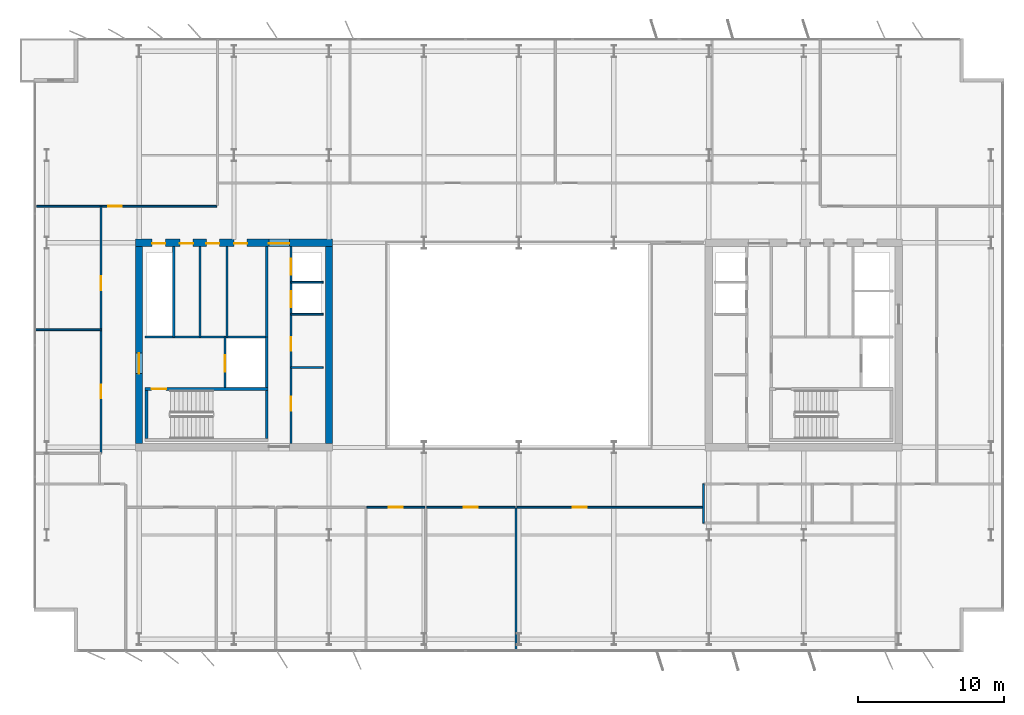
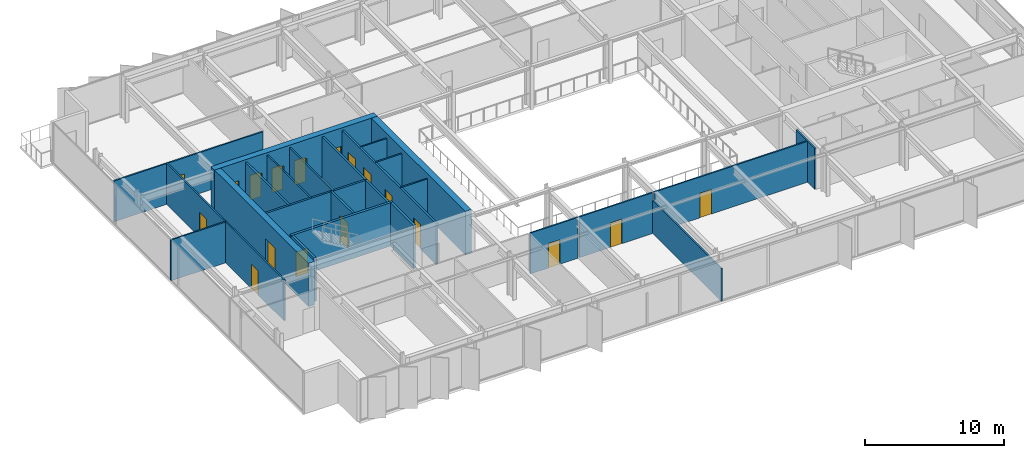
# One storey, part 17 of 23: 26 walls, 18 doors, 18 openings.
"""IFC4 building model written with IfcOpenShell, lengths in metres."""

from ifc_helpers import new_model, si_unit, direction, frame, frame_2d, origin, place, context, subcontext, project, spatial, rectangle, extrude, material, layer, layer_set, type_object, element, fill, save


model = new_model("IFC4")

# Units and contexts
model_context = context("Model", 3, precision=1e-05, world=origin(), true_north=direction((0.0, 1.0)))
body_context = subcontext(model_context, "Body", "Model", "MODEL_VIEW")
ifc_project = project(units=[si_unit("LENGTHUNIT", "METRE"), si_unit("AREAUNIT", "SQUARE_METRE"), si_unit("VOLUMEUNIT", "CUBIC_METRE"), si_unit("PLANEANGLEUNIT", "RADIAN"), si_unit("MASSUNIT", "GRAM", prefix="KILO")], contexts=[model_context])

# Site, building, storey
site_placement = place(None, origin())
site = spatial("IfcSite", under=ifc_project, at=site_placement, CompositionType="ELEMENT")
building_placement = place(site_placement, origin())
building = spatial("IfcBuilding", under=site, at=building_placement, Name="Putna Gate Headquarters", CompositionType="ELEMENT")
storey_placement = place(building_placement, frame((0.0, 0.0, 217.60009765625)))
storey = spatial("IfcBuildingStorey", under=building, at=storey_placement, Name="L54", CompositionType="ELEMENT", Elevation=217.60009765625)

# Wall, openings, doors
ifc_material_1 = material(Name="Concrete C50/60", Category="concrete")
ifc_layer_1 = layer(ifc_material_1, 0.5)
ifc_layer_set_1 = layer_set([ifc_layer_1], Name="Concrete C50/60")
wall_type_1 = type_object("IfcWallType", Name="WALL-CORE-500", PredefinedType="SHEAR", material=ifc_layer_set_1)
wall_1_placement = place(storey_placement, frame((12.75, 33.0, 0.0), z_axis=(0.0, 0.0, 1.0), x_axis=(1.0, 0.0, 0.0)))
wall_1 = element("IfcWall", 1, at=wall_1_placement, inside=storey, type_object=wall_type_1, Name="L54 WC Split Core Shear Wall N", PredefinedType="SHEAR", context=body_context, shape_type="SweptSolid", body=[
    extrude(rectangle(XDim=13.5, YDim=0.5, at=frame_2d((6.75, 0.0))), origin(), (0.0, 0.0, 1.0), 3.7998046875),
])
opening_1_placement = place(wall_1_placement, frame((1.14990234375, 0.0, 0.0)))
opening_1 = element("IfcOpeningElement", 2, at=opening_1_placement, cuts=wall_1, Name="Opening RD-90", PredefinedType="OPENING", context=body_context, shape_type="SweptSolid", body=[
    extrude(rectangle(XDim=0.89990234375, YDim=2.14990234375, at=frame_2d((0.449951171875, 1.074951171875))), frame((0.0, 0.260009765625, 0.0), z_axis=(0.0, -1.0, 0.0), x_axis=(1.0, 0.0, 0.0)), (0.0, 0.0, 1.0), 0.52001953125),
])
opening_2_placement = place(wall_1_placement, frame((3.050048828125, 0.0, 0.0)))
opening_2 = element("IfcOpeningElement", 3, at=opening_2_placement, cuts=wall_1, Name="Opening IDS-90", PredefinedType="OPENING", context=body_context, shape_type="SweptSolid", body=[
    extrude(rectangle(XDim=0.89990234375, YDim=2.14990234375, at=frame_2d((0.449951171875, 1.074951171875))), frame((0.0, 0.260009765625, 0.0), z_axis=(0.0, -1.0, 0.0), x_axis=(1.0, 0.0, 0.0)), (0.0, 0.0, 1.0), 0.52001953125),
])
opening_3_placement = place(wall_1_placement, frame((4.85009765625, 0.0, 0.0)))
opening_3 = element("IfcOpeningElement", 4, at=opening_3_placement, cuts=wall_1, Name="Opening IDS-90", PredefinedType="OPENING", context=body_context, shape_type="SweptSolid", body=[
    extrude(rectangle(XDim=0.89990234375, YDim=2.14990234375, at=frame_2d((0.449951171875, 1.074951171875))), frame((0.0, 0.260009765625, 0.0), z_axis=(0.0, -1.0, 0.0), x_axis=(1.0, 0.0, 0.0)), (0.0, 0.0, 1.0), 0.52001953125),
])
opening_4_placement = place(wall_1_placement, frame((6.75, 0.0, 0.0)))
opening_4 = element("IfcOpeningElement", 5, at=opening_4_placement, cuts=wall_1, Name="Opening IDS-90", PredefinedType="OPENING", context=body_context, shape_type="SweptSolid", body=[
    extrude(rectangle(XDim=0.89990234375, YDim=2.14990234375, at=frame_2d((0.449951171875, 1.074951171875))), frame((0.0, 0.260009765625, 0.0), z_axis=(0.0, -1.0, 0.0), x_axis=(1.0, 0.0, 0.0)), (0.0, 0.0, 1.0), 0.52001953125),
])
opening_5_placement = place(wall_1_placement, frame((9.1298828125, 0.0, 0.0)))
opening_5 = element("IfcOpeningElement", 6, at=opening_5_placement, cuts=wall_1, Name="Opening FDD-140", PredefinedType="OPENING", context=body_context, shape_type="SweptSolid", body=[
    extrude(rectangle(XDim=1.39990234375, YDim=2.199951171875, at=frame_2d((0.699951171875, 1.10009765625))), frame((0.0, 0.260009765625, 0.0), z_axis=(0.0, -1.0, 0.0), x_axis=(1.0, 0.0, 0.0)), (0.0, 0.0, 1.0), 0.52001953125),
])
ifc_material_2 = material(Name="Double steel fire door", Category="steel")
door_type_1 = type_object("IfcDoorType", Name="DOOR-FIRE-DBL-1400", OperationType="DOUBLE_DOOR_SINGLE_SWING", PredefinedType="DOOR", material=ifc_material_2)
door_1_placement = place(opening_5_placement, origin())
door_1 = element("IfcDoor", 7, at=door_1_placement, inside=storey, type_object=door_type_1, Name="L54 West Lift Lobby North Door", OperationType="DOUBLE_DOOR_SINGLE_SWING", OverallHeight=2.199951171875, OverallWidth=1.39990234375, PredefinedType="DOOR", context=body_context, shape_type="SweptSolid", body=[
    extrude(rectangle(XDim=1.39990234375, YDim=2.199951171875, at=frame_2d((0.699951171875, 1.10009765625))), frame((0.0, -0.02490234375, 0.0), z_axis=(0.0, -1.0, 0.0), x_axis=(1.0, 0.0, 0.0)), (0.0, 0.0, 1.0), 0.050048828125),
])
fill(opening_5, door_1)
ifc_material_3 = material(Name="Fire-rated utility door")
door_type_2 = type_object("IfcDoorType", Name="DOOR-INT-900", OperationType="NOTDEFINED", PredefinedType="DOOR", material=ifc_material_3)
door_2_placement = place(opening_2_placement, origin())
door_2 = element("IfcDoor", 8, at=door_2_placement, inside=storey, type_object=door_type_2, Name="L54 Janitor Cupboard Door", OperationType="SINGLE_SWING_LEFT", OverallHeight=2.14990234375, OverallWidth=0.89990234375, PredefinedType="DOOR", context=body_context, shape_type="SweptSolid", body=[
    extrude(rectangle(XDim=0.89990234375, YDim=2.14990234375, at=frame_2d((0.449951171875, 1.074951171875))), frame((0.0, -0.02490234375, 0.0), z_axis=(0.0, -1.0, 0.0), x_axis=(1.0, 0.0, 0.0)), (0.0, 0.0, 1.0), 0.050048828125),
])
fill(opening_2, door_2)
door_3_placement = place(opening_3_placement, origin())
door_3 = element("IfcDoor", 9, at=door_3_placement, inside=storey, type_object=door_type_2, Name="L54 IT Patch Plant Door", OperationType="SINGLE_SWING_RIGHT", OverallHeight=2.14990234375, OverallWidth=0.89990234375, PredefinedType="DOOR", context=body_context, shape_type="SweptSolid", body=[
    extrude(rectangle(XDim=0.89990234375, YDim=2.14990234375, at=frame_2d((0.449951171875, 1.074951171875))), frame((0.0, -0.02490234375, 0.0), z_axis=(0.0, -1.0, 0.0), x_axis=(1.0, 0.0, 0.0)), (0.0, 0.0, 1.0), 0.050048828125),
])
fill(opening_3, door_3)
door_4_placement = place(opening_4_placement, origin())
door_4 = element("IfcDoor", 10, at=door_4_placement, inside=storey, type_object=door_type_2, Name="L54 Building Records Store Door", OperationType="SINGLE_SWING_LEFT", OverallHeight=2.14990234375, OverallWidth=0.89990234375, PredefinedType="DOOR", context=body_context, shape_type="SweptSolid", body=[
    extrude(rectangle(XDim=0.89990234375, YDim=2.14990234375, at=frame_2d((0.449951171875, 1.074951171875))), frame((0.0, -0.02490234375, 0.0), z_axis=(0.0, -1.0, 0.0), x_axis=(1.0, 0.0, 0.0)), (0.0, 0.0, 1.0), 0.050048828125),
])
fill(opening_4, door_4)
ifc_material_4 = material(Name="Steel riser access fire door", Category="steel")
door_type_3 = type_object("IfcDoorType", Name="DOOR-RISER-900", OperationType="NOTDEFINED", PredefinedType="DOOR", material=ifc_material_4)
door_5_placement = place(opening_1_placement, origin())
door_5 = element("IfcDoor", 11, at=door_5_placement, inside=storey, type_object=door_type_3, Name="L54 West Riser Access Door", OperationType="SINGLE_SWING_RIGHT", OverallHeight=2.14990234375, OverallWidth=0.89990234375, PredefinedType="DOOR", context=body_context, shape_type="SweptSolid", body=[
    extrude(rectangle(XDim=0.89990234375, YDim=2.14990234375, at=frame_2d((0.449951171875, 1.074951171875))), frame((0.0, -0.02490234375, 0.0), z_axis=(0.0, -1.0, 0.0), x_axis=(1.0, 0.0, 0.0)), (0.0, 0.0, 1.0), 0.050048828125),
])
fill(opening_1, door_5)

# Wall, opening, door
wall_2_placement = place(storey_placement, frame((13.0, 19.25, 0.0), z_axis=(0.0, 0.0, 1.0), x_axis=(0.0, 1.0, 0.0)))
wall_2 = element("IfcWall", 12, at=wall_2_placement, inside=storey, type_object=wall_type_1, Name="L54 WC Split Core Shear Wall W", PredefinedType="SHEAR", context=body_context, shape_type="SweptSolid", body=[
    extrude(rectangle(XDim=13.5, YDim=0.5, at=frame_2d((6.75, 0.0))), origin(), (0.0, 0.0, 1.0), 3.7998046875),
])
opening_6_placement = place(wall_2_placement, frame((4.800048828125, 0.0, 0.0)))
opening_6 = element("IfcOpeningElement", 13, at=opening_6_placement, cuts=wall_2, Name="Opening FDD-140", PredefinedType="OPENING", context=body_context, shape_type="SweptSolid", body=[
    extrude(rectangle(XDim=1.39990234375, YDim=2.199951171875, at=frame_2d((0.699951171875, 1.10009765625))), frame((0.0, 0.260009765625, 0.0), z_axis=(0.0, -1.0, 0.0), x_axis=(1.0, 0.0, 0.0)), (0.0, 0.0, 1.0), 0.52001953125),
])
door_6_placement = place(opening_6_placement, origin())
door_6 = element("IfcDoor", 14, at=door_6_placement, inside=storey, type_object=door_type_1, Name="L54 West Firefighting Lobby Door", OperationType="DOUBLE_DOOR_SINGLE_SWING", OverallHeight=2.199951171875, OverallWidth=1.39990234375, PredefinedType="DOOR", context=body_context, shape_type="SweptSolid", body=[
    extrude(rectangle(XDim=1.39990234375, YDim=2.199951171875, at=frame_2d((0.699951171875, 1.10009765625))), frame((0.0, 0.02490234375, 0.0), z_axis=(0.0, -1.0, 0.0), x_axis=(1.0, 0.0, 0.0)), (0.0, 0.0, 1.0), 0.050048828125),
])
fill(opening_6, door_6)

# Walls
wall_3_placement = place(storey_placement, frame((26.0, 19.25, 0.0), z_axis=(0.0, 0.0, 1.0), x_axis=(0.0, 1.0, 0.0)))
element("IfcWall", 15, at=wall_3_placement, inside=storey, type_object=wall_type_1, Name="L54 WC Split Core Shear Wall E", PredefinedType="SHEAR", context=body_context, shape_type="SweptSolid", body=[
    extrude(rectangle(XDim=13.5, YDim=0.5, at=frame_2d((6.75, 0.0))), origin(), (0.0, 0.0, 1.0), 3.7998046875),
])
ifc_material_5 = material(Name="Acoustic gypsum board on metal stud")
ifc_layer_2 = layer(ifc_material_5, 0.1201171875)
ifc_layer_set_2 = layer_set([ifc_layer_2], Name="Acoustic gypsum board on metal stud")
wall_type_2 = type_object("IfcWallType", Name="WALL-PART-120", PredefinedType="PARTITIONING", material=ifc_layer_set_2)
wall_4_placement = place(storey_placement, frame((38.800048828125, 5.02001953125, 0.0), z_axis=(0.0, 0.0, 1.0), x_axis=(0.0, 1.0, 0.0)))
element("IfcWall", 16, at=wall_4_placement, inside=storey, type_object=wall_type_2, Name="L54 Interior Wall PART-L54-SB-DIV-06", PredefinedType="PARTITIONING", context=body_context, shape_type="SweptSolid", body=[
    extrude(rectangle(XDim=9.820068359375, YDim=0.1201171875, at=frame_2d((4.91015625, 0.0))), origin(), (0.0, 0.0, 1.0), 2.8798828125),
])
wall_5_placement = place(storey_placement, frame((5.820068359375, 27.050048828125, 0.0), z_axis=(0.0, 0.0, 1.0), x_axis=(1.0, 0.0, 0.0)))
element("IfcWall", 17, at=wall_5_placement, inside=storey, type_object=wall_type_2, Name="L54 Interior Wall PART-L54-WW-DIV-1", PredefinedType="PARTITIONING", context=body_context, shape_type="SweptSolid", body=[
    extrude(rectangle(XDim=4.579833984375, YDim=0.1201171875, at=frame_2d((2.2900390625, 0.0))), origin(), (0.0, 0.0, 1.0), 3.579833984375),
])
ifc_material_6 = material(Name="Fire-rated shaftwall gypsum board on metal stud")
ifc_layer_3 = layer(ifc_material_6, 0.1201171875)
ifc_layer_set_3 = layer_set([ifc_layer_3], Name="Fire-rated shaftwall gypsum board on metal stud")
wall_type_3 = type_object("IfcWallType", Name="WALL-PART-120-EI120", PredefinedType="PARTITIONING", material=ifc_layer_set_3)
wall_6_placement = place(storey_placement, frame((23.39990234375, 30.31005859375, 0.0), z_axis=(0.0, 0.0, 1.0), x_axis=(1.0, 0.0, 0.0)))
element("IfcWall", 18, at=wall_6_placement, inside=storey, type_object=wall_type_3, Name="L54 Interior Wall CWINT-L54-WC-LF09-DIV", PredefinedType="PARTITIONING", context=body_context, shape_type="SweptSolid", body=[
    extrude(rectangle(XDim=2.2001953125, YDim=0.1201171875, at=frame_2d((1.10009765625, 0.0))), origin(), (0.0, 0.0, 1.0), 3.579833984375),
])
ifc_material_7 = material(Name="Fire-rated gypsum board on metal stud")
ifc_layer_4 = layer(ifc_material_7, 0.1201171875)
ifc_layer_set_4 = layer_set([ifc_layer_4], Name="Fire-rated gypsum board on metal stud")
wall_type_4 = type_object("IfcWallType", Name="WALL-PART-120-RATED", PredefinedType="PARTITIONING", material=ifc_layer_set_4)
for number, where, z_axis, x_axis, name in (
    (19, (17.169921875, 26.56005859375, 0.0), (0.0, 0.0, 1.0), (0.0, 1.0, 0.0), "L54 Interior Wall CWINT-L54-WC-K2-D1"),
    (20, (19.02001953125, 26.56005859375, 0.0), (0.0, 0.0, 1.0), (0.0, 1.0, 0.0), "L54 Interior Wall CWINT-L54-WC-K2-D2"),
):
    element("IfcWall", number, at=place(storey_placement, frame(where, z_axis=z_axis, x_axis=x_axis)), inside=storey, type_object=wall_type_4, Name=name, PredefinedType="PARTITIONING", context=body_context, shape_type="SweptSolid", body=[
        extrude(rectangle(XDim=6.18994140625, YDim=0.1201171875, at=frame_2d((3.094970703125, 0.0))), origin(), (0.0, 0.0, 1.0), 3.579833984375),
    ])
for number, where, z_axis, x_axis, name in (
    (21, (23.39990234375, 24.469970703125, 0.0), (0.0, 0.0, 1.0), (1.0, 0.0, 0.0), "L54 Interior Wall CWINT-L54-WC-REUSE-DIV"),
    (22, (23.39990234375, 28.1201171875, 0.0), (0.0, 0.0, 1.0), (1.0, 0.0, 0.0), "L54 Interior Wall CWINT-L54-WC-LF06-DIV"),
):
    element("IfcWall", number, at=place(storey_placement, frame(where, z_axis=z_axis, x_axis=x_axis)), inside=storey, type_object=wall_type_4, Name=name, PredefinedType="PARTITIONING", context=body_context, shape_type="SweptSolid", body=[
        extrude(rectangle(XDim=2.2001953125, YDim=0.1201171875, at=frame_2d((1.10009765625, 0.0))), origin(), (0.0, 0.0, 1.0), 3.579833984375),
    ])
wall_7_placement = place(storey_placement, frame((51.639892578125, 13.820068359375, 0.0), z_axis=(0.0, 0.0, 1.0), x_axis=(0.0, 1.0, 0.0)))
element("IfcWall", 23, at=wall_7_placement, inside=storey, type_object=wall_type_4, Name="L54 Interior Wall PART-L54-SAN-DIV-1", PredefinedType="PARTITIONING", context=body_context, shape_type="SweptSolid", body=[
    extrude(rectangle(XDim=2.679931640625, YDim=0.1201171875, at=frame_2d((1.33984375, 0.0))), origin(), (0.0, 0.0, 1.0), 3.579833984375),
])

# Wall, opening, door
wall_8_placement = place(storey_placement, frame((5.97998046875, 35.5, 0.0), z_axis=(0.0, 0.0, 1.0), x_axis=(1.0, 0.0, 0.0)))
wall_8 = element("IfcWall", 24, at=wall_8_placement, inside=storey, type_object=wall_type_4, Name="L54 Interior Wall PART-L54-NB-CW-01", PredefinedType="PARTITIONING", context=body_context, shape_type="SweptSolid", body=[
    extrude(rectangle(XDim=12.3291015625, YDim=0.1201171875, at=frame_2d((6.16455078125, 0.0))), origin(), (0.0, 0.0, 1.0), 3.579833984375),
])
opening_7_placement = place(wall_8_placement, frame((4.89990234375, 0.0, 0.0)))
opening_7 = element("IfcOpeningElement", 25, at=opening_7_placement, cuts=wall_8, Name="Opening FD-95", PredefinedType="OPENING", context=body_context, shape_type="SweptSolid", body=[
    extrude(rectangle(XDim=0.949951171875, YDim=2.14990234375, at=frame_2d((0.47509765625, 1.074951171875))), frame((0.0, 0.070068359375, 0.0), z_axis=(0.0, -1.0, 0.0), x_axis=(1.0, 0.0, 0.0)), (0.0, 0.0, 1.0), 0.14013671875),
])
ifc_material_8 = material(Name="Acoustic timber fire door", Category="wood")
door_type_4 = type_object("IfcDoorType", Name="DOOR-FIRE-950", OperationType="NOTDEFINED", PredefinedType="DOOR", material=ifc_material_8)
door_7_placement = place(opening_7_placement, origin())
door_7 = element("IfcDoor", 26, at=door_7_placement, inside=storey, type_object=door_type_4, Name="L54 Collaborative Breakout Lounge 1 Door", OperationType="SINGLE_SWING_RIGHT", OverallHeight=2.14990234375, OverallWidth=0.949951171875, PredefinedType="DOOR", context=body_context, shape_type="SweptSolid", body=[
    extrude(rectangle(XDim=0.949951171875, YDim=2.14990234375, at=frame_2d((0.47509765625, 1.074951171875))), frame((0.0, 0.02490234375, 0.0), z_axis=(0.0, -1.0, 0.0), x_axis=(1.0, 0.0, 0.0)), (0.0, 0.0, 1.0), 0.050048828125),
])
fill(opening_7, door_7)

wall_9_placement = place(storey_placement, frame((28.59912109375, 14.89990234375, 0.0), z_axis=(0.0, 0.0, 1.0), x_axis=(1.0, 0.0, 0.0)))
wall_9 = element("IfcWall", 27, at=wall_9_placement, inside=storey, type_object=wall_type_4, Name="L54 Interior Wall PART-L54-SB-CW-05", PredefinedType="PARTITIONING", context=body_context, shape_type="SweptSolid", body=[
    extrude(rectangle(XDim=3.9541015625, YDim=0.1201171875, at=frame_2d((1.97705078125, 0.0))), origin(), (0.0, 0.0, 1.0), 3.579833984375),
])
opening_8_placement = place(wall_9_placement, frame((1.502197265625, 0.0, 0.0)))
opening_8 = element("IfcOpeningElement", 28, at=opening_8_placement, cuts=wall_9, Name="Opening FD-95", PredefinedType="OPENING", context=body_context, shape_type="SweptSolid", body=[
    extrude(rectangle(XDim=0.949951171875, YDim=2.14990234375, at=frame_2d((0.47509765625, 1.074951171875))), frame((0.0, 0.070068359375, 0.0), z_axis=(0.0, -1.0, 0.0), x_axis=(1.0, 0.0, 0.0)), (0.0, 0.0, 1.0), 0.14013671875),
])
door_8_placement = place(opening_8_placement, origin())
door_8 = element("IfcDoor", 29, at=door_8_placement, inside=storey, type_object=door_type_4, Name="L54 Conference Meeting Room 3 Door", OperationType="SINGLE_SWING_RIGHT", OverallHeight=2.14990234375, OverallWidth=0.949951171875, PredefinedType="DOOR", context=body_context, shape_type="SweptSolid", body=[
    extrude(rectangle(XDim=0.949951171875, YDim=2.14990234375, at=frame_2d((0.47509765625, 1.074951171875))), frame((0.0, 0.02490234375, 0.0), z_axis=(0.0, -1.0, 0.0), x_axis=(1.0, 0.0, 0.0)), (0.0, 0.0, 1.0), 0.050048828125),
])
fill(opening_8, door_8)

wall_10_placement = place(storey_placement, frame((32.673095703125, 14.89990234375, 0.0), z_axis=(0.0, 0.0, 1.0), x_axis=(1.0, 0.0, 0.0)))
wall_10 = element("IfcWall", 30, at=wall_10_placement, inside=storey, type_object=wall_type_4, Name="L54 Interior Wall PART-L54-SB-CW-06", PredefinedType="PARTITIONING", context=body_context, shape_type="SweptSolid", body=[
    extrude(rectangle(XDim=6.06689453125, YDim=0.1201171875, at=frame_2d((3.033447265625, 0.0))), origin(), (0.0, 0.0, 1.0), 3.579833984375),
])
opening_9_placement = place(wall_10_placement, frame((2.558349609375, 0.0, 0.0)))
opening_9 = element("IfcOpeningElement", 31, at=opening_9_placement, cuts=wall_10, Name="Opening FD-95", PredefinedType="OPENING", context=body_context, shape_type="SweptSolid", body=[
    extrude(rectangle(XDim=0.949951171875, YDim=2.14990234375, at=frame_2d((0.47509765625, 1.074951171875))), frame((0.0, 0.070068359375, 0.0), z_axis=(0.0, -1.0, 0.0), x_axis=(1.0, 0.0, 0.0)), (0.0, 0.0, 1.0), 0.14013671875),
])
door_9_placement = place(opening_9_placement, origin())
door_9 = element("IfcDoor", 32, at=door_9_placement, inside=storey, type_object=door_type_4, Name="L54 Conference Meeting Room 4 Door", OperationType="SINGLE_SWING_LEFT", OverallHeight=2.14990234375, OverallWidth=0.949951171875, PredefinedType="DOOR", context=body_context, shape_type="SweptSolid", body=[
    extrude(rectangle(XDim=0.949951171875, YDim=2.14990234375, at=frame_2d((0.47509765625, 1.074951171875))), frame((0.0, 0.02490234375, 0.0), z_axis=(0.0, -1.0, 0.0), x_axis=(1.0, 0.0, 0.0)), (0.0, 0.0, 1.0), 0.050048828125),
])
fill(opening_9, door_9)

wall_11_placement = place(storey_placement, frame((38.860107421875, 14.89990234375, 0.0), z_axis=(0.0, 0.0, 1.0), x_axis=(1.0, 0.0, 0.0)))
wall_11 = element("IfcWall", 33, at=wall_11_placement, inside=storey, type_object=wall_type_4, Name="L54 Interior Wall PART-L54-SB-CW-07", PredefinedType="PARTITIONING", context=body_context, shape_type="SweptSolid", body=[
    extrude(rectangle(XDim=12.719970703125, YDim=0.1201171875, at=frame_2d((6.35986328125, 0.0))), origin(), (0.0, 0.0, 1.0), 3.579833984375),
])
opening_10_placement = place(wall_11_placement, frame((3.81591796875, 0.0, 0.0)))
opening_10 = element("IfcOpeningElement", 34, at=opening_10_placement, cuts=wall_11, Name="Opening FD-95", PredefinedType="OPENING", context=body_context, shape_type="SweptSolid", body=[
    extrude(rectangle(XDim=0.949951171875, YDim=2.14990234375, at=frame_2d((0.47509765625, 1.074951171875))), frame((0.0, 0.070068359375, 0.0), z_axis=(0.0, -1.0, 0.0), x_axis=(1.0, 0.0, 0.0)), (0.0, 0.0, 1.0), 0.14013671875),
])
door_10_placement = place(opening_10_placement, origin())
door_10 = element("IfcDoor", 35, at=door_10_placement, inside=storey, type_object=door_type_4, Name="L54 Primary Open Office Workplace Door", OperationType="SINGLE_SWING_RIGHT", OverallHeight=2.14990234375, OverallWidth=0.949951171875, PredefinedType="DOOR", context=body_context, shape_type="SweptSolid", body=[
    extrude(rectangle(XDim=0.949951171875, YDim=2.14990234375, at=frame_2d((0.47509765625, 1.074951171875))), frame((0.0, 0.02490234375, 0.0), z_axis=(0.0, -1.0, 0.0), x_axis=(1.0, 0.0, 0.0)), (0.0, 0.0, 1.0), 0.050048828125),
])
fill(opening_10, door_10)

wall_12_placement = place(storey_placement, frame((10.39990234375, 18.60009765625, 0.0), z_axis=(0.0, 0.0, 1.0), x_axis=(0.0, 1.0, 0.0)))
wall_12 = element("IfcWall", 36, at=wall_12_placement, inside=storey, type_object=wall_type_4, Name="L54 Interior Wall PART-L54-WW-CW-1", PredefinedType="PARTITIONING", context=body_context, shape_type="SweptSolid", body=[
    extrude(rectangle(XDim=8.449951171875, YDim=0.1201171875, at=frame_2d((4.22509765625, 0.0))), origin(), (0.0, 0.0, 1.0), 3.579833984375),
])
opening_11_placement = place(wall_12_placement, frame((3.75, 0.0, 0.0)))
opening_11 = element("IfcOpeningElement", 37, at=opening_11_placement, cuts=wall_12, Name="Opening FD-95", PredefinedType="OPENING", context=body_context, shape_type="SweptSolid", body=[
    extrude(rectangle(XDim=0.949951171875, YDim=2.14990234375, at=frame_2d((0.47509765625, 1.074951171875))), frame((0.0, 0.070068359375, 0.0), z_axis=(0.0, -1.0, 0.0), x_axis=(1.0, 0.0, 0.0)), (0.0, 0.0, 1.0), 0.14013671875),
])
door_11_placement = place(opening_11_placement, origin())
door_11 = element("IfcDoor", 38, at=door_11_placement, inside=storey, type_object=door_type_4, Name="L54 West Executive Office 1 Door", OperationType="SINGLE_SWING_RIGHT", OverallHeight=2.14990234375, OverallWidth=0.949951171875, PredefinedType="DOOR", context=body_context, shape_type="SweptSolid", body=[
    extrude(rectangle(XDim=0.949951171875, YDim=2.14990234375, at=frame_2d((0.47509765625, 1.074951171875))), frame((0.0, 0.02490234375, 0.0), z_axis=(0.0, -1.0, 0.0), x_axis=(1.0, 0.0, 0.0)), (0.0, 0.0, 1.0), 0.050048828125),
])
fill(opening_11, door_11)

wall_13_placement = place(storey_placement, frame((10.39990234375, 27.050048828125, 0.0), z_axis=(0.0, 0.0, 1.0), x_axis=(0.0, 1.0, 0.0)))
wall_13 = element("IfcWall", 39, at=wall_13_placement, inside=storey, type_object=wall_type_4, Name="L54 Interior Wall PART-L54-WW-CW-2", PredefinedType="PARTITIONING", context=body_context, shape_type="SweptSolid", body=[
    extrude(rectangle(XDim=8.449951171875, YDim=0.1201171875, at=frame_2d((4.22509765625, 0.0))), origin(), (0.0, 0.0, 1.0), 3.579833984375),
])
opening_12_placement = place(wall_13_placement, frame((2.699951171875, 0.0, 0.0)))
opening_12 = element("IfcOpeningElement", 40, at=opening_12_placement, cuts=wall_13, Name="Opening FD-95", PredefinedType="OPENING", context=body_context, shape_type="SweptSolid", body=[
    extrude(rectangle(XDim=0.949951171875, YDim=2.14990234375, at=frame_2d((0.47509765625, 1.074951171875))), frame((0.0, 0.070068359375, 0.0), z_axis=(0.0, -1.0, 0.0), x_axis=(1.0, 0.0, 0.0)), (0.0, 0.0, 1.0), 0.14013671875),
])
door_12_placement = place(opening_12_placement, origin())
door_12 = element("IfcDoor", 41, at=door_12_placement, inside=storey, type_object=door_type_4, Name="L54 West Executive Office 2 Door", OperationType="SINGLE_SWING_LEFT", OverallHeight=2.14990234375, OverallWidth=0.949951171875, PredefinedType="DOOR", context=body_context, shape_type="SweptSolid", body=[
    extrude(rectangle(XDim=0.949951171875, YDim=2.14990234375, at=frame_2d((0.47509765625, 1.074951171875))), frame((0.0, 0.02490234375, 0.0), z_axis=(0.0, -1.0, 0.0), x_axis=(1.0, 0.0, 0.0)), (0.0, 0.0, 1.0), 0.050048828125),
])
fill(opening_12, door_12)

# Wall
ifc_material_9 = material(Name="Concrete C40/50", Category="concrete")
ifc_layer_5 = layer(ifc_material_9, 0.159912109375)
ifc_layer_set_5 = layer_set([ifc_layer_5], Name="Concrete C40/50")
wall_type_5 = type_object("IfcWallType", Name="WALL-SHAFT-160", PredefinedType="STANDARD", material=ifc_layer_set_5)
wall_14_placement = place(storey_placement, frame((21.739990234375, 23.090087890625, 0.0), z_axis=(0.0, 0.0, 1.0), x_axis=(0.0, 1.0, 0.0)))
element("IfcWall", 42, at=wall_14_placement, inside=storey, type_object=wall_type_5, Name="L54 Interior Wall CWINT-L54-WC-FFL-E", PredefinedType="STANDARD", context=body_context, shape_type="SweptSolid", body=[
    extrude(rectangle(XDim=3.469970703125, YDim=0.159912109375, at=frame_2d((1.73486328125, 0.0))), origin(), (0.0, 0.0, 1.0), 3.579833984375),
])

# Wall, opening, door
wall_15_placement = place(storey_placement, frame((18.8798828125, 23.090087890625, 0.0), z_axis=(0.0, 0.0, 1.0), x_axis=(0.0, 1.0, 0.0)))
wall_15 = element("IfcWall", 43, at=wall_15_placement, inside=storey, type_object=wall_type_5, Name="L54 Interior Wall CWINT-L54-WC-LF13-W", PredefinedType="STANDARD", context=body_context, shape_type="SweptSolid", body=[
    extrude(rectangle(XDim=3.469970703125, YDim=0.159912109375, at=frame_2d((1.73486328125, 0.0))), origin(), (0.0, 0.0, 1.0), 3.579833984375),
])
opening_13_placement = place(wall_15_placement, frame((1.10009765625, 0.0, 0.0)))
opening_13 = element("IfcOpeningElement", 44, at=opening_13_placement, cuts=wall_15, Name="Opening LD-1", PredefinedType="OPENING", context=body_context, shape_type="SweptSolid", body=[
    extrude(rectangle(XDim=1.10009765625, YDim=2.199951171875, at=frame_2d((0.550048828125, 1.10009765625))), frame((0.0, 0.08984375, 0.0), z_axis=(0.0, -1.0, 0.0), x_axis=(1.0, 0.0, 0.0)), (0.0, 0.0, 1.0), 0.179931640625),
])
ifc_material_10 = material(Name="Brushed bronze stainless lift landing door")
door_type_5 = type_object("IfcDoorType", Name="DOOR-LIFT-1100", OperationType="DOUBLE_DOOR_SLIDING", PredefinedType="DOOR", material=ifc_material_10)
door_13_placement = place(opening_13_placement, origin())
door_13 = element("IfcDoor", 45, at=door_13_placement, inside=storey, type_object=door_type_5, Name="L54 Lift Landing Door LD-13", OperationType="DOUBLE_DOOR_SLIDING", OverallHeight=2.199951171875, OverallWidth=1.10009765625, PredefinedType="DOOR", context=body_context, shape_type="SweptSolid", body=[
    extrude(rectangle(XDim=1.10009765625, YDim=2.199951171875, at=frame_2d((0.550048828125, 1.10009765625))), frame((0.0, 0.02490234375, 0.0), z_axis=(0.0, -1.0, 0.0), x_axis=(1.0, 0.0, 0.0)), (0.0, 0.0, 1.0), 0.050048828125),
])
fill(opening_13, door_13)

# Walls
wall_16_placement = place(storey_placement, frame((13.39990234375, 26.56005859375, 0.0), z_axis=(0.0, 0.0, 1.0), x_axis=(1.0, 0.0, 0.0)))
element("IfcWall", 46, at=wall_16_placement, inside=storey, type_object=wall_type_5, Name="L54 Interior Wall CWINT-L54-WC-FFL-N", PredefinedType="STANDARD", context=body_context, shape_type="SweptSolid", body=[
    extrude(rectangle(XDim=8.340087890625, YDim=0.159912109375, at=frame_2d((4.169921875, 0.0))), origin(), (0.0, 0.0, 1.0), 3.579833984375),
])
for number, where, z_axis, x_axis, name in (
    (47, (15.3798828125, 26.56005859375, 0.0), (0.0, 0.0, 1.0), (0.0, 1.0, 0.0), "L54 Interior Wall CWINT-L54-WC-RISER-E"),
    (48, (21.739990234375, 26.56005859375, 0.0), (0.0, 0.0, 1.0), (0.0, 1.0, 0.0), "L54 Interior Wall CWINT-L54-WC-LOB-W"),
):
    element("IfcWall", number, at=place(storey_placement, frame(where, z_axis=z_axis, x_axis=x_axis)), inside=storey, type_object=wall_type_5, Name=name, PredefinedType="STANDARD", context=body_context, shape_type="SweptSolid", body=[
        extrude(rectangle(XDim=6.18994140625, YDim=0.159912109375, at=frame_2d((3.094970703125, 0.0))), origin(), (0.0, 0.0, 1.0), 3.579833984375),
    ])

# Wall, openings, doors
wall_17_placement = place(storey_placement, frame((23.39990234375, 19.25, 0.0), z_axis=(0.0, 0.0, 1.0), x_axis=(0.0, 1.0, 0.0)))
wall_17 = element("IfcWall", 49, at=wall_17_placement, inside=storey, type_object=wall_type_5, Name="L54 Interior Wall CWINT-L54-WC-PL-WALL", PredefinedType="STANDARD", context=body_context, shape_type="SweptSolid", body=[
    extrude(rectangle(XDim=13.5, YDim=0.159912109375, at=frame_2d((6.75, 0.0))), origin(), (0.0, 0.0, 1.0), 3.579833984375),
])
opening_14_placement = place(wall_17_placement, frame((2.25, 0.0, 0.0)))
opening_14 = element("IfcOpeningElement", 50, at=opening_14_placement, cuts=wall_17, Name="Opening IDS-95", PredefinedType="OPENING", context=body_context, shape_type="SweptSolid", body=[
    extrude(rectangle(XDim=0.949951171875, YDim=2.14990234375, at=frame_2d((0.47509765625, 1.074951171875))), frame((0.0, 0.08984375, 0.0), z_axis=(0.0, -1.0, 0.0), x_axis=(1.0, 0.0, 0.0)), (0.0, 0.0, 1.0), 0.179931640625),
])
opening_15_placement = place(wall_17_placement, frame((6.35009765625, 0.0, 0.0)))
opening_15 = element("IfcOpeningElement", 51, at=opening_15_placement, cuts=wall_17, Name="Opening IDS-95", PredefinedType="OPENING", context=body_context, shape_type="SweptSolid", body=[
    extrude(rectangle(XDim=0.949951171875, YDim=2.14990234375, at=frame_2d((0.47509765625, 1.074951171875))), frame((0.0, 0.08984375, 0.0), z_axis=(0.0, -1.0, 0.0), x_axis=(1.0, 0.0, 0.0)), (0.0, 0.0, 1.0), 0.179931640625),
])
opening_16_placement = place(wall_17_placement, frame((9.35009765625, 0.0, 0.0)))
opening_16 = element("IfcOpeningElement", 52, at=opening_16_placement, cuts=wall_17, Name="Opening LD-1", PredefinedType="OPENING", context=body_context, shape_type="SweptSolid", body=[
    extrude(rectangle(XDim=1.10009765625, YDim=2.199951171875, at=frame_2d((0.550048828125, 1.10009765625))), frame((0.0, 0.08984375, 0.0), z_axis=(0.0, -1.0, 0.0), x_axis=(1.0, 0.0, 0.0)), (0.0, 0.0, 1.0), 0.179931640625),
])
opening_17_placement = place(wall_17_placement, frame((11.550048828125, 0.0, 0.0)))
opening_17 = element("IfcOpeningElement", 53, at=opening_17_placement, cuts=wall_17, Name="Opening LD-1", PredefinedType="OPENING", context=body_context, shape_type="SweptSolid", body=[
    extrude(rectangle(XDim=1.10009765625, YDim=2.199951171875, at=frame_2d((0.550048828125, 1.10009765625))), frame((0.0, 0.08984375, 0.0), z_axis=(0.0, -1.0, 0.0), x_axis=(1.0, 0.0, 0.0)), (0.0, 0.0, 1.0), 0.179931640625),
])
ifc_material_11 = material(Name="Fire-rated service timber door", Category="wood")
door_type_6 = type_object("IfcDoorType", Name="DOOR-INT-950", OperationType="NOTDEFINED", PredefinedType="DOOR", material=ifc_material_11)
door_14_placement = place(opening_14_placement, origin())
door_14 = element("IfcDoor", 54, at=door_14_placement, inside=storey, type_object=door_type_6, Name="L54 Tenant IT Hub Door", OperationType="SINGLE_SWING_LEFT", OverallHeight=2.14990234375, OverallWidth=0.949951171875, PredefinedType="DOOR", context=body_context, shape_type="SweptSolid", body=[
    extrude(rectangle(XDim=0.949951171875, YDim=2.14990234375, at=frame_2d((0.47509765625, 1.074951171875))), frame((0.0, 0.02490234375, 0.0), z_axis=(0.0, -1.0, 0.0), x_axis=(1.0, 0.0, 0.0)), (0.0, 0.0, 1.0), 0.050048828125),
])
fill(opening_14, door_14)
door_15_placement = place(opening_15_placement, origin())
door_15 = element("IfcDoor", 55, at=door_15_placement, inside=storey, type_object=door_type_6, Name="L54 Records Vault Door", OperationType="SINGLE_SWING_RIGHT", OverallHeight=2.14990234375, OverallWidth=0.949951171875, PredefinedType="DOOR", context=body_context, shape_type="SweptSolid", body=[
    extrude(rectangle(XDim=0.949951171875, YDim=2.14990234375, at=frame_2d((0.47509765625, 1.074951171875))), frame((0.0, 0.02490234375, 0.0), z_axis=(0.0, -1.0, 0.0), x_axis=(1.0, 0.0, 0.0)), (0.0, 0.0, 1.0), 0.050048828125),
])
fill(opening_15, door_15)
door_16_placement = place(opening_16_placement, origin())
door_16 = element("IfcDoor", 56, at=door_16_placement, inside=storey, type_object=door_type_5, Name="L54 Lift Landing Door LD-09", OperationType="DOUBLE_DOOR_SLIDING", OverallHeight=2.199951171875, OverallWidth=1.10009765625, PredefinedType="DOOR", context=body_context, shape_type="SweptSolid", body=[
    extrude(rectangle(XDim=1.10009765625, YDim=2.199951171875, at=frame_2d((0.550048828125, 1.10009765625))), frame((0.0, 0.02490234375, 0.0), z_axis=(0.0, -1.0, 0.0), x_axis=(1.0, 0.0, 0.0)), (0.0, 0.0, 1.0), 0.050048828125),
])
fill(opening_16, door_16)
door_17_placement = place(opening_17_placement, origin())
door_17 = element("IfcDoor", 57, at=door_17_placement, inside=storey, type_object=door_type_5, Name="L54 Lift Landing Door LD-10", OperationType="DOUBLE_DOOR_SLIDING", OverallHeight=2.199951171875, OverallWidth=1.10009765625, PredefinedType="DOOR", context=body_context, shape_type="SweptSolid", body=[
    extrude(rectangle(XDim=1.10009765625, YDim=2.199951171875, at=frame_2d((0.550048828125, 1.10009765625))), frame((0.0, 0.02490234375, 0.0), z_axis=(0.0, -1.0, 0.0), x_axis=(1.0, 0.0, 0.0)), (0.0, 0.0, 1.0), 0.050048828125),
])
fill(opening_17, door_17)

# Wall, opening, door
ifc_layer_6 = layer(ifc_material_9, 0.199951171875)
ifc_layer_set_6 = layer_set([ifc_layer_6], Name="Concrete C40/50")
wall_type_6 = type_object("IfcWallType", Name="WALL-SHAFT-RC200", PredefinedType="SHEAR", material=ifc_layer_set_6)
wall_18_placement = place(storey_placement, frame((13.409912109375, 22.989990234375, 0.0), z_axis=(0.0, 0.0, 1.0), x_axis=(1.0, 0.0, 0.0)))
wall_18 = element("IfcWall", 58, at=wall_18_placement, inside=storey, type_object=wall_type_6, Name="L54 Stair ST1 Structural Shaft Wall N", PredefinedType="SHEAR", context=body_context, shape_type="SweptSolid", body=[
    extrude(rectangle(XDim=8.43017578125, YDim=0.199951171875, at=frame_2d((4.215087890625, 0.0))), origin(), (0.0, 0.0, 1.0), 3.7998046875),
])
opening_18_placement = place(wall_18_placement, frame((0.449951171875, 0.0, 0.0)))
opening_18 = element("IfcOpeningElement", 59, at=opening_18_placement, cuts=wall_18, Name="Opening FD-100", PredefinedType="OPENING", context=body_context, shape_type="SweptSolid", body=[
    extrude(rectangle(XDim=1.0, YDim=2.14990234375, at=frame_2d((0.5, 1.074951171875))), frame((0.0, 0.10986328125, 0.0), z_axis=(0.0, -1.0, 0.0), x_axis=(1.0, 0.0, 0.0)), (0.0, 0.0, 1.0), 0.219970703125),
])
ifc_material_12 = material(Name="Powder-coated steel fire door", Category="steel")
door_type_7 = type_object("IfcDoorType", Name="DOOR-FIRE-1000", OperationType="NOTDEFINED", PredefinedType="DOOR", material=ifc_material_12)
door_18_placement = place(opening_18_placement, origin())
door_18 = element("IfcDoor", 60, at=door_18_placement, inside=storey, type_object=door_type_7, Name="L54 Stair ST1 Fire Door", OperationType="SINGLE_SWING_LEFT", OverallHeight=2.14990234375, OverallWidth=1.0, PredefinedType="DOOR", context=body_context, shape_type="SweptSolid", body=[
    extrude(rectangle(XDim=1.0, YDim=2.14990234375, at=frame_2d((0.5, 1.074951171875))), frame((0.0, 0.02490234375, 0.0), z_axis=(0.0, -1.0, 0.0), x_axis=(1.0, 0.0, 0.0)), (0.0, 0.0, 1.0), 0.050048828125),
])
fill(opening_18, door_18)

# Walls
for number, where, z_axis, x_axis, name in (
    (61, (13.510009765625, 19.610107421875, 0.0), (0.0, 0.0, 1.0), (0.0, 1.0, 0.0), "L54 Stair ST1 Structural Shaft Wall W"),
    (62, (21.739990234375, 19.610107421875, 0.0), (0.0, 0.0, 1.0), (0.0, 1.0, 0.0), "L54 Stair ST1 Structural Shaft Wall E"),
):
    element("IfcWall", number, at=place(storey_placement, frame(where, z_axis=z_axis, x_axis=x_axis)), inside=storey, type_object=wall_type_6, Name=name, PredefinedType="SHEAR", context=body_context, shape_type="SweptSolid", body=[
        extrude(rectangle(XDim=3.27978515625, YDim=0.199951171875, at=frame_2d((1.639892578125, 0.0))), origin(), (0.0, 0.0, 1.0), 3.7998046875),
    ])

save(model, "model.ifc")
